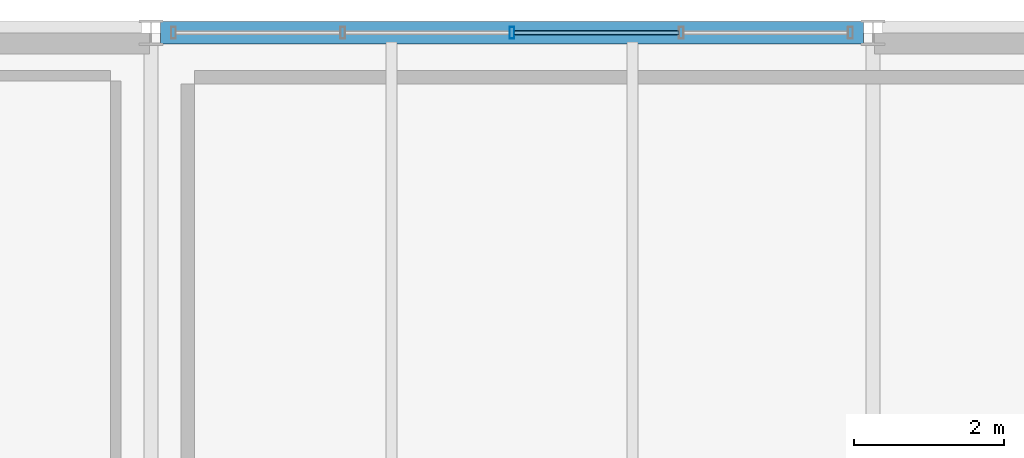
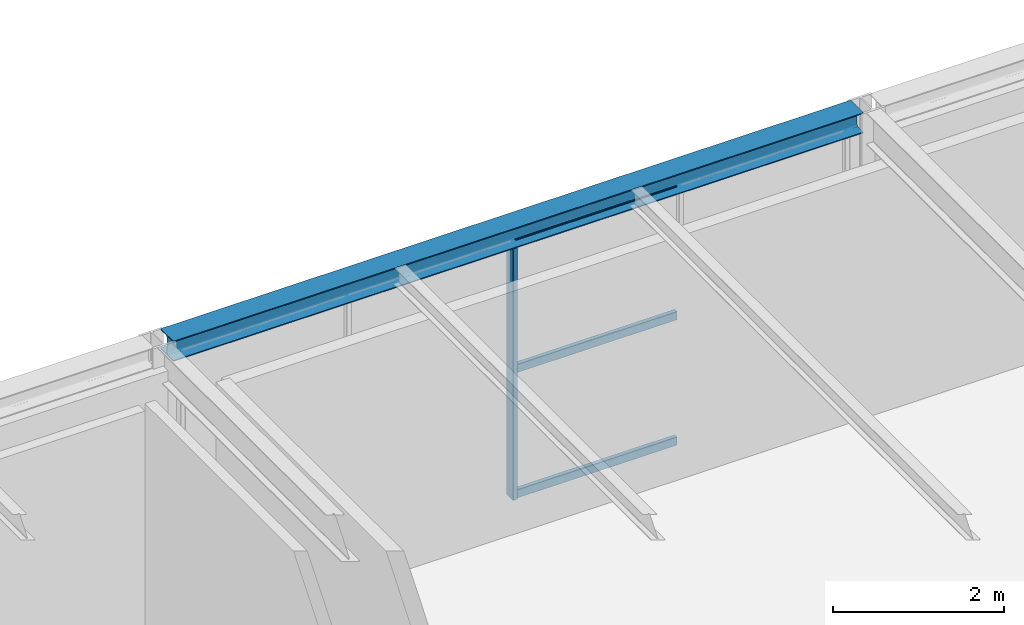
# One storey, part 76 of 126: 4 members, 1 beam, 1 element without a shape of its own.
"""IFC4 building model written with IfcOpenShell, lengths in metres."""

from ifc_helpers import new_model, si_unit, direction, frame, origin, origin_2d, place, context, subcontext, project, spatial, hollow_rectangle, i_section, extrude, material, material_profile, profile_set, type_object, element, aggregate, save


model = new_model("IFC4")

# Units and contexts
model_context = context("Model", 3, precision=1e-05, world=origin(), true_north=direction((0.0, 1.0)))
body_context = subcontext(model_context, "Body", "Model", "MODEL_VIEW")
ifc_project = project(units=[si_unit("LENGTHUNIT", "METRE"), si_unit("AREAUNIT", "SQUARE_METRE"), si_unit("VOLUMEUNIT", "CUBIC_METRE"), si_unit("PLANEANGLEUNIT", "RADIAN"), si_unit("MASSUNIT", "GRAM", prefix="KILO")], contexts=[model_context])

# Site, building, storey
site_placement = place(None, origin())
site = spatial("IfcSite", under=ifc_project, at=site_placement, CompositionType="ELEMENT")
building_placement = place(site_placement, origin())
building = spatial("IfcBuilding", under=site, at=building_placement, Name="Coralgate Yard Interchange", CompositionType="ELEMENT")
storey_placement = place(building_placement, frame((0.0, 0.0, 10.5)))
storey = spatial("IfcBuildingStorey", under=building, at=storey_placement, Name="L02", CompositionType="ELEMENT", Elevation=10.5)

# Beam
ifc_material_1 = material(Name="Structural steel S355J2", Category="steel")
ifc_material_profile_1 = material_profile(ifc_material_1, i_section(OverallWidth=0.300048828125, OverallDepth=0.2900390625, WebThickness=0.008544921875, FlangeThickness=0.013916015625, FilletRadius=0.027099609375, at=origin_2d()), Name="HEA 300")
ifc_profile_set_1 = profile_set([ifc_material_profile_1], Name="Structural steel S355J2")
beam_type = type_object("IfcBeamType", Name="BM-SP-2", PredefinedType="SPANDREL", material=ifc_profile_set_1)
beam_placement = place(storey_placement, frame((57.727294921875, 96.0, 3.804931640625), z_axis=(1.0, 0.0, 0.0), x_axis=(0.0, 1.0, 0.0)))
element("IfcBeam", 1, at=beam_placement, inside=storey, type_object=beam_type, Name="L02 primary grid beam Y10 X6-7", PredefinedType="SPANDREL", context=body_context, shape_type="SweptSolid", body=[
    extrude(i_section(OverallWidth=0.300048828125, OverallDepth=0.2900390625, WebThickness=0.008544921875, FlangeThickness=0.013916015625, FilletRadius=0.027099609375, at=origin_2d()), origin(), (0.0, 0.0, 1.0), 9.345458984375),
])

# Curtain wall, members
ifc_material_2 = material(Name="Anodised coastal aluminium and solar-control low-E glass", Category="aluminium")
curtain_wall_type = type_object("IfcCurtainWallType", Name="CW-CW-L02-A", PredefinedType="NOTDEFINED", material=ifc_material_2)
curtain_wall_placement = place(storey_placement, origin())
curtain_wall = element("IfcCurtainWall", 2, at=curtain_wall_placement, inside=storey, type_object=curtain_wall_type, Name="L02 unitised curtain wall CW-L02-N-06-09", PredefinedType="NOTDEFINED")
ifc_material_3 = material(Name="Anodised coastal aluminium 6063-T6", Category="aluminium")
ifc_material_profile_2 = material_profile(ifc_material_3, hollow_rectangle(XDim=0.06494140625, YDim=0.159912109375, WallThickness=0.00390625, InnerFilletRadius=0.00390625, OuterFilletRadius=0.008056640625, at=origin_2d()), Name="ALU 65x160x4")
ifc_profile_set_2 = profile_set([ifc_material_profile_2], Name="Anodised coastal aluminium 6063-T6")
member_type_1 = type_object("IfcMemberType", Name="MB-MUL-160", PredefinedType="MULLION", material=ifc_profile_set_2)
member_1_placement = place(storey_placement, frame((62.39990234375, 96.0, 0.0), z_axis=(0.0, 0.0, 1.0), x_axis=(1.0, 0.0, 0.0)))
member_1 = element("IfcMember", 3, at=member_1_placement, type_object=member_type_1, Name="CW-L02-N-06-09 vertical mullion 3", PredefinedType="MULLION", context=body_context, shape_type="SweptSolid", body=[
    extrude(hollow_rectangle(XDim=0.06494140625, YDim=0.159912109375, WallThickness=0.00390625, InnerFilletRadius=0.00390625, OuterFilletRadius=0.008056640625, at=origin_2d()), origin(), (0.0, 0.0, 1.0), 3.659912109375),
])
ifc_material_profile_3 = material_profile(ifc_material_3, hollow_rectangle(XDim=0.06005859375, YDim=0.1201171875, WallThickness=0.00341796875, InnerFilletRadius=0.00341796875, OuterFilletRadius=0.007080078125, at=origin_2d()), Name="ALU 60x120x3.5")
ifc_profile_set_3 = profile_set([ifc_material_profile_3], Name="Anodised coastal aluminium 6063-T6")
member_type_2 = type_object("IfcMemberType", Name="MB-TRN-120", PredefinedType="USERDEFINED", material=ifc_profile_set_3)
member_2_placement = place(storey_placement, frame((62.429931640625, 96.0, 0.034912109375), z_axis=(1.0, 0.0, 0.0), x_axis=(0.0, 1.0, 0.0)))
member_2 = element("IfcMember", 4, at=member_2_placement, type_object=member_type_2, Name="CW-L02-N-06-09 horizontal transom 3-1", ObjectType="TRANSOM", PredefinedType="USERDEFINED", context=body_context, shape_type="SweptSolid", body=[
    extrude(hollow_rectangle(XDim=0.06005859375, YDim=0.1201171875, WallThickness=0.00341796875, InnerFilletRadius=0.00341796875, OuterFilletRadius=0.007080078125, at=origin_2d()), origin(), (0.0, 0.0, 1.0), 2.190185546875),
])
member_3_placement = place(storey_placement, frame((62.429931640625, 96.0, 1.830078125), z_axis=(1.0, 0.0, 0.0), x_axis=(0.0, 1.0, 0.0)))
member_3 = element("IfcMember", 5, at=member_3_placement, type_object=member_type_2, Name="CW-L02-N-06-09 horizontal transom 3-2", ObjectType="TRANSOM", PredefinedType="USERDEFINED", context=body_context, shape_type="SweptSolid", body=[
    extrude(hollow_rectangle(XDim=0.06005859375, YDim=0.1201171875, WallThickness=0.00341796875, InnerFilletRadius=0.00341796875, OuterFilletRadius=0.007080078125, at=origin_2d()), origin(), (0.0, 0.0, 1.0), 2.190185546875),
])
member_4_placement = place(storey_placement, frame((62.429931640625, 96.0, 3.625), z_axis=(1.0, 0.0, 0.0), x_axis=(0.0, 1.0, 0.0)))
member_4 = element("IfcMember", 6, at=member_4_placement, type_object=member_type_2, Name="CW-L02-N-06-09 horizontal transom 3-3", ObjectType="TRANSOM", PredefinedType="USERDEFINED", context=body_context, shape_type="SweptSolid", body=[
    extrude(hollow_rectangle(XDim=0.06005859375, YDim=0.1201171875, WallThickness=0.00341796875, InnerFilletRadius=0.00341796875, OuterFilletRadius=0.007080078125, at=origin_2d()), origin(), (0.0, 0.0, 1.0), 2.190185546875),
])
aggregate(curtain_wall, [member_1, member_2, member_3, member_4])

save(model, "model.ifc")
